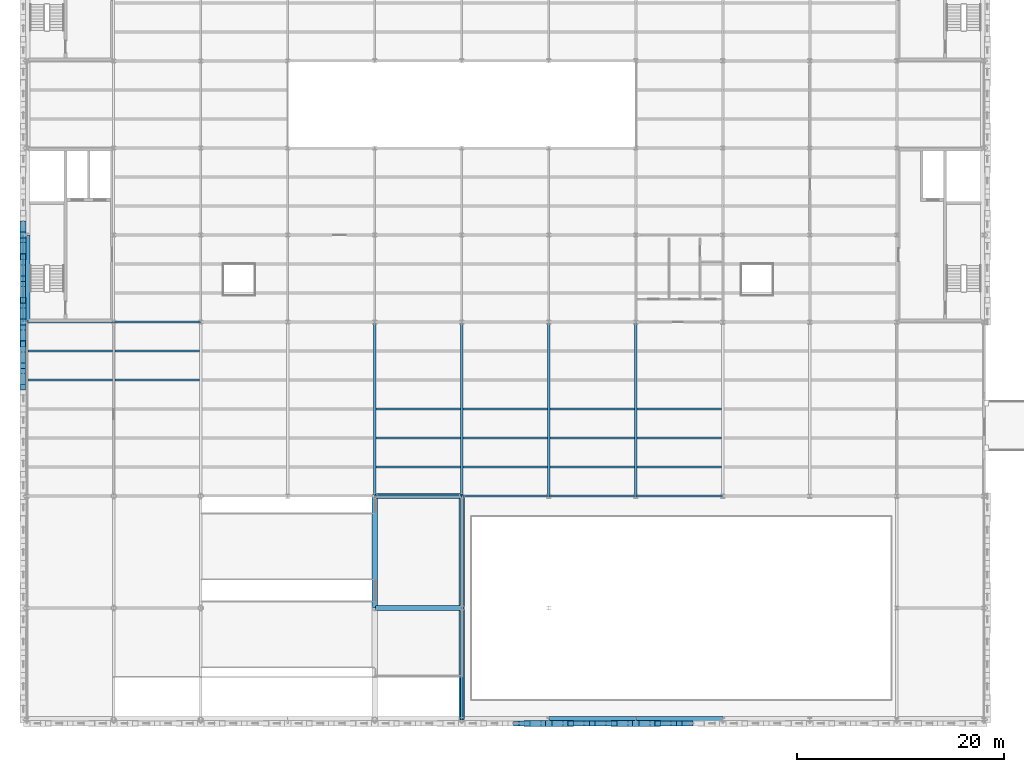
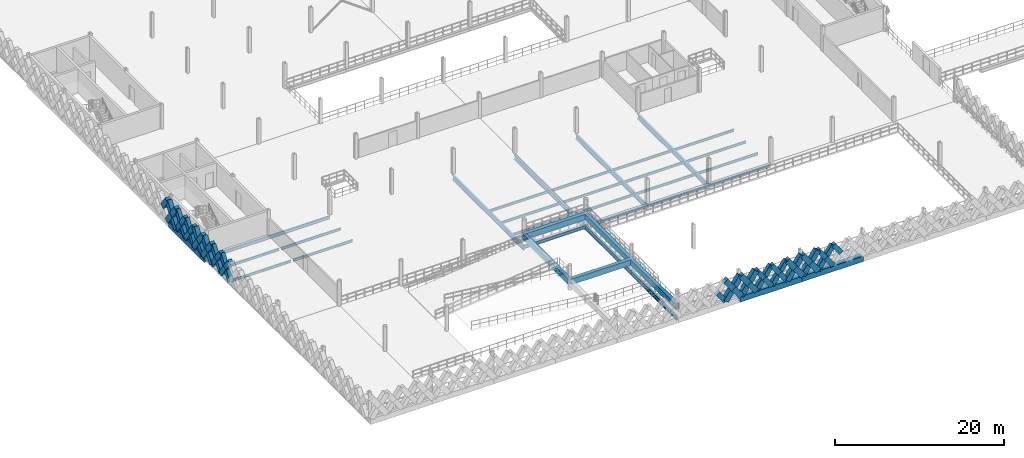
# One storey, part 25 of 101: 46 members, 36 beams.
"""IFC4 building model written with IfcOpenShell, lengths in metres."""

from ifc_helpers import new_model, si_unit, direction, frame, origin, origin_2d, place, context, subcontext, project, spatial, rectangle, hollow_rectangle, i_section, extrude, material, material_profile, profile_set, type_object, element, save


model = new_model("IFC4")

# Units and contexts
model_context = context("Model", 3, precision=1e-05, world=origin(), true_north=direction((0.0, 1.0)))
body_context = subcontext(model_context, "Body", "Model", "MODEL_VIEW")
ifc_project = project(units=[si_unit("LENGTHUNIT", "METRE"), si_unit("AREAUNIT", "SQUARE_METRE"), si_unit("VOLUMEUNIT", "CUBIC_METRE"), si_unit("PLANEANGLEUNIT", "RADIAN"), si_unit("MASSUNIT", "GRAM", prefix="KILO"), si_unit("THERMODYNAMICTEMPERATUREUNIT", "KELVIN"), si_unit("POWERUNIT", "WATT")], contexts=[model_context])

# Site, building, storey
site_placement = place(None, origin())
site = spatial("IfcSite", under=ifc_project, at=site_placement, CompositionType="ELEMENT")
building_placement = place(site_placement, origin())
building = spatial("IfcBuilding", under=site, at=building_placement, Name="Tembeka Court Mobility Hub", CompositionType="ELEMENT")
storey_placement = place(building_placement, frame((0.0, 0.0, 5.39990234375)))
storey = spatial("IfcBuildingStorey", under=building, at=storey_placement, Name="L01", CompositionType="ELEMENT", Elevation=5.39990234375)

# Beams
ifc_material_1 = material(Name="Steel S355", Category="steel")
ifc_material_profile_1 = material_profile(ifc_material_1, i_section(OverallWidth=0.18994140625, OverallDepth=0.45703125, WebThickness=0.009033203125, FlangeThickness=0.014404296875, FilletRadius=0.01025390625, at=origin_2d()), Name="UKB 457x191x74")
ifc_profile_set_1 = profile_set([ifc_material_profile_1], Name="Steel S355")
beam_type_1 = type_object("IfcBeamType", Name="BM-B01", PredefinedType="BEAM", material=ifc_profile_set_1)
for number, where, z_axis, x_axis, name in (
    (1, (33.60009765625, 21.60009765625, -0.448486328125), (1.0, 0.0, 0.0), (0.0, 1.0, 0.0), "Beam B01 (BM-L01-X0633)"),
    (2, (42.0, 21.60009765625, -0.448486328125), (1.0, 0.0, 0.0), (0.0, 1.0, 0.0), "Beam B01 (BM-L01-X0634)"),
):
    element("IfcBeam", number, at=place(storey_placement, frame(where, z_axis=z_axis, x_axis=x_axis)), inside=storey, type_object=beam_type_1, Name=name, PredefinedType="BEAM", context=body_context, shape_type="SweptSolid", body=[
        extrude(i_section(OverallWidth=0.18994140625, OverallDepth=0.45703125, WebThickness=0.009033203125, FlangeThickness=0.014404296875, FilletRadius=0.01025390625, at=origin_2d()), origin(), (0.0, 0.0, 1.0), 8.39990234375),
    ])
beam_1_placement = place(storey_placement, frame((50.39990234375, 21.60009765625, -0.448486328125), z_axis=(1.0, 0.0, 0.0), x_axis=(0.0, 1.0, 0.0)))
element("IfcBeam", 3, at=beam_1_placement, inside=storey, type_object=beam_type_1, Name="Beam B01 (BM-L01-X0635)", PredefinedType="BEAM", context=body_context, shape_type="SweptSolid", body=[
    extrude(i_section(OverallWidth=0.18994140625, OverallDepth=0.45703125, WebThickness=0.009033203125, FlangeThickness=0.014404296875, FilletRadius=0.01025390625, at=origin_2d()), origin(), (0.0, 0.0, 1.0), 8.400146484375),
])
for number, where, z_axis, x_axis, name in (
    (4, (58.800048828125, 21.60009765625, -0.448486328125), (1.0, 0.0, 0.0), (0.0, 1.0, 0.0), "Beam B01 (BM-L01-X0636)"),
    (5, (0.0, 38.39990234375, -0.448486328125), (1.0, 0.0, 0.0), (0.0, 1.0, 0.0), "Beam B01 (BM-L01-X0649)"),
):
    element("IfcBeam", number, at=place(storey_placement, frame(where, z_axis=z_axis, x_axis=x_axis)), inside=storey, type_object=beam_type_1, Name=name, PredefinedType="BEAM", context=body_context, shape_type="SweptSolid", body=[
        extrude(i_section(OverallWidth=0.18994140625, OverallDepth=0.45703125, WebThickness=0.009033203125, FlangeThickness=0.014404296875, FilletRadius=0.01025390625, at=origin_2d()), origin(), (0.0, 0.0, 1.0), 8.39990234375),
    ])
beam_2_placement = place(storey_placement, frame((8.39990234375, 38.39990234375, -0.448486328125), z_axis=(1.0, 0.0, 0.0), x_axis=(0.0, 1.0, 0.0)))
element("IfcBeam", 6, at=beam_2_placement, inside=storey, type_object=beam_type_1, Name="Beam B01 (BM-L01-X0650)", PredefinedType="BEAM", context=body_context, shape_type="SweptSolid", body=[
    extrude(i_section(OverallWidth=0.18994140625, OverallDepth=0.45703125, WebThickness=0.009033203125, FlangeThickness=0.014404296875, FilletRadius=0.01025390625, at=origin_2d()), origin(), (0.0, 0.0, 1.0), 8.400146484375),
])
ifc_material_2 = material(Name="Concrete C40/50", Category="concrete")
ifc_material_profile_2 = material_profile(ifc_material_2, rectangle(XDim=0.5, YDim=0.800048828125, at=origin_2d()), Name="RC-BM 500x800")
ifc_profile_set_2 = profile_set([ifc_material_profile_2], Name="Concrete C40/50")
beam_type_2 = type_object("IfcBeamType", Name="BM-B05", PredefinedType="BEAM", material=ifc_profile_set_2)
for number, where, z_axis, x_axis, name in (
    (7, (33.695068359375, 10.800048828125, 1.150146484375), (1.0, 0.0, 0.0), (0.0, 1.0, 0.0), "Car park vehicle ramp South R2 L01 half-landing tie beam EX2"),
    (8, (33.695068359375, 21.60009765625, 1.150146484375), (1.0, 0.0, 0.0), (0.0, 1.0, 0.0), "Car park vehicle ramp South R2 L01 half-landing tie beam EX3"),
):
    element("IfcBeam", number, at=place(storey_placement, frame(where, z_axis=z_axis, x_axis=x_axis)), inside=storey, type_object=beam_type_2, Name=name, PredefinedType="BEAM", context=body_context, shape_type="SweptSolid", body=[
        extrude(rectangle(XDim=0.5, YDim=0.800048828125, at=origin_2d()), origin(), (0.0, 0.0, 1.0), 8.2099609375),
    ])
for number, where, z_axis, x_axis, name in (
    (9, (33.60009765625, 10.800048828125, 1.150146484375), (0.0, 1.0, 0.0), (-1.0, 0.0, 0.0), "Car park vehicle ramp South R2 L01 half-landing beam EM2"),
    (10, (42.0, 0.0, 1.150146484375), (0.0, 1.0, 0.0), (-1.0, 0.0, 0.0), "Car park vehicle ramp South R2 L01 half-landing beam EE1"),
    (11, (42.0, 10.800048828125, 1.150146484375), (0.0, 1.0, 0.0), (-1.0, 0.0, 0.0), "Car park vehicle ramp South R2 L01 half-landing beam EE2"),
):
    element("IfcBeam", number, at=place(storey_placement, frame(where, z_axis=z_axis, x_axis=x_axis)), inside=storey, type_object=beam_type_2, Name=name, PredefinedType="BEAM", context=body_context, shape_type="SweptSolid", body=[
        extrude(rectangle(XDim=0.5, YDim=0.800048828125, at=origin_2d()), origin(), (0.0, 0.0, 1.0), 10.800048828125),
    ])
ifc_material_profile_3 = material_profile(ifc_material_1, i_section(OverallWidth=0.25390625, OverallDepth=0.68408203125, WebThickness=0.012451171875, FlangeThickness=0.01904296875, FilletRadius=0.01513671875, at=origin_2d()), Name="UKB 686x254x140")
ifc_profile_set_3 = profile_set([ifc_material_profile_3], Name="Steel S355")
beam_type_3 = type_object("IfcBeamType", Name="BM-G01", PredefinedType="USERDEFINED", material=ifc_profile_set_3)
for number, where, z_axis, x_axis, name in (
    (12, (33.60009765625, 21.60009765625, -0.56201171875), (0.0, 1.0, 0.0), (-1.0, 0.0, 0.0), "Beam G01 (BM-L01-Y0801)"),
    (13, (42.0, 21.60009765625, -0.56201171875), (0.0, 1.0, 0.0), (-1.0, 0.0, 0.0), "Beam G01 (BM-L01-Y0809)"),
    (14, (50.39990234375, 21.60009765625, -0.56201171875), (0.0, 1.0, 0.0), (-1.0, 0.0, 0.0), "Beam G01 (BM-L01-Y0817)"),
    (15, (58.800048828125, 21.60009765625, -0.56201171875), (0.0, 1.0, 0.0), (-1.0, 0.0, 0.0), "Beam G01 (BM-L01-Y0823)"),
):
    element("IfcBeam", number, at=place(storey_placement, frame(where, z_axis=z_axis, x_axis=x_axis)), inside=storey, type_object=beam_type_3, Name=name, ObjectType="GIRDER", PredefinedType="USERDEFINED", context=body_context, shape_type="SweptSolid", body=[
        extrude(i_section(OverallWidth=0.25390625, OverallDepth=0.68408203125, WebThickness=0.012451171875, FlangeThickness=0.01904296875, FilletRadius=0.01513671875, at=origin_2d()), origin(), (0.0, 0.0, 1.0), 16.7998046875),
    ])
ifc_material_profile_4 = material_profile(ifc_material_1, i_section(OverallWidth=0.22900390625, OverallDepth=0.612060546875, WebThickness=0.011962890625, FlangeThickness=0.01953125, FilletRadius=0.0126953125, at=origin_2d()), Name="UKB 610x229x125")
ifc_profile_set_4 = profile_set([ifc_material_profile_4], Name="Steel S355")
beam_type_4 = type_object("IfcBeamType", Name="BM-G02", PredefinedType="USERDEFINED", material=ifc_profile_set_4)
for number, where, z_axis, x_axis, name in (
    (16, (42.0, 0.0, -0.52587890625), (0.0, 1.0, 0.0), (-1.0, 0.0, 0.0), "Beam G02 (BM-L01-Y0807)"),
    (17, (42.0, 10.800048828125, -0.52587890625), (0.0, 1.0, 0.0), (-1.0, 0.0, 0.0), "Beam G02 (BM-L01-Y0808)"),
):
    element("IfcBeam", number, at=place(storey_placement, frame(where, z_axis=z_axis, x_axis=x_axis)), inside=storey, type_object=beam_type_4, Name=name, ObjectType="GIRDER", PredefinedType="USERDEFINED", context=body_context, shape_type="SweptSolid", body=[
        extrude(i_section(OverallWidth=0.22900390625, OverallDepth=0.612060546875, WebThickness=0.011962890625, FlangeThickness=0.01953125, FilletRadius=0.0126953125, at=origin_2d()), origin(), (0.0, 0.0, 1.0), 10.800048828125),
    ])
ifc_material_profile_5 = material_profile(ifc_material_1, i_section(OverallWidth=0.172119140625, OverallDepth=0.35498046875, WebThickness=0.00732421875, FlangeThickness=0.011474609375, FilletRadius=0.01025390625, at=origin_2d()), Name="UKB 356x171x51")
ifc_profile_set_5 = profile_set([ifc_material_profile_5], Name="Steel S355")
beam_type_5 = type_object("IfcBeamType", Name="BM-J01", PredefinedType="JOIST", material=ifc_profile_set_5)
for number, where, z_axis, x_axis, name in (
    (18, (0.1220703125, 32.800048828125, -0.3974609375), (1.0, 0.0, 0.0), (0.0, 1.0, 0.0), "Beam J01 (JST-L01-0914)"),
    (19, (0.1220703125, 35.60009765625, -0.3974609375), (1.0, 0.0, 0.0), (0.0, 1.0, 0.0), "Beam J01 (JST-L01-0915)"),
    (20, (8.52197265625, 32.800048828125, -0.3974609375), (1.0, 0.0, 0.0), (0.0, 1.0, 0.0), "Beam J01 (JST-L01-0926)"),
    (21, (8.52197265625, 35.60009765625, -0.3974609375), (1.0, 0.0, 0.0), (0.0, 1.0, 0.0), "Beam J01 (JST-L01-0927)"),
    (22, (33.721923828125, 24.39990234375, -0.3974609375), (1.0, 0.0, 0.0), (0.0, 1.0, 0.0), "Beam J01 (JST-L01-0981)"),
    (23, (33.721923828125, 27.199951171875, -0.3974609375), (1.0, 0.0, 0.0), (0.0, 1.0, 0.0), "Beam J01 (JST-L01-0982)"),
    (24, (33.721923828125, 30.0, -0.3974609375), (1.0, 0.0, 0.0), (0.0, 1.0, 0.0), "Beam J01 (JST-L01-0983)"),
    (25, (42.1220703125, 24.39990234375, -0.3974609375), (1.0, 0.0, 0.0), (0.0, 1.0, 0.0), "Beam J01 (JST-L01-0999)"),
    (26, (42.1220703125, 27.199951171875, -0.3974609375), (1.0, 0.0, 0.0), (0.0, 1.0, 0.0), "Beam J01 (JST-L01-1000)"),
    (27, (42.1220703125, 30.0, -0.3974609375), (1.0, 0.0, 0.0), (0.0, 1.0, 0.0), "Beam J01 (JST-L01-1001)"),
    (28, (50.52197265625, 24.39990234375, -0.3974609375), (1.0, 0.0, 0.0), (0.0, 1.0, 0.0), "Beam J01 (JST-L01-1017)"),
    (29, (50.52197265625, 27.199951171875, -0.3974609375), (1.0, 0.0, 0.0), (0.0, 1.0, 0.0), "Beam J01 (JST-L01-1018)"),
    (30, (50.52197265625, 30.0, -0.3974609375), (1.0, 0.0, 0.0), (0.0, 1.0, 0.0), "Beam J01 (JST-L01-1019)"),
):
    element("IfcBeam", number, at=place(storey_placement, frame(where, z_axis=z_axis, x_axis=x_axis)), inside=storey, type_object=beam_type_5, Name=name, PredefinedType="JOIST", context=body_context, shape_type="SweptSolid", body=[
        extrude(i_section(OverallWidth=0.172119140625, OverallDepth=0.35498046875, WebThickness=0.00732421875, FlangeThickness=0.011474609375, FilletRadius=0.01025390625, at=origin_2d()), origin(), (0.0, 0.0, 1.0), 8.156005859375),
    ])
for number, where, z_axis, x_axis, name in (
    (31, (58.922119140625, 24.39990234375, -0.3974609375), (1.0, 0.0, 0.0), (0.0, 1.0, 0.0), "Beam J01 (JST-L01-1035)"),
    (32, (58.922119140625, 27.199951171875, -0.3974609375), (1.0, 0.0, 0.0), (0.0, 1.0, 0.0), "Beam J01 (JST-L01-1036)"),
    (33, (58.922119140625, 30.0, -0.3974609375), (1.0, 0.0, 0.0), (0.0, 1.0, 0.0), "Beam J01 (JST-L01-1037)"),
):
    element("IfcBeam", number, at=place(storey_placement, frame(where, z_axis=z_axis, x_axis=x_axis)), inside=storey, type_object=beam_type_5, Name=name, PredefinedType="JOIST", context=body_context, shape_type="SweptSolid", body=[
        extrude(i_section(OverallWidth=0.172119140625, OverallDepth=0.35498046875, WebThickness=0.00732421875, FlangeThickness=0.011474609375, FilletRadius=0.01025390625, at=origin_2d()), origin(), (0.0, 0.0, 1.0), 8.15576171875),
    ])
ifc_material_3 = material(Name="Precast concrete C45/55", Category="concrete")
ifc_material_profile_6 = material_profile(ifc_material_3, rectangle(XDim=0.64990234375, YDim=0.800048828125, at=origin_2d()), Name="PC-SP 650x800")
ifc_profile_set_6 = profile_set([ifc_material_profile_6], Name="Precast concrete C45/55")
beam_type_6 = type_object("IfcBeamType", Name="BM-SP01", PredefinedType="SPANDREL", material=ifc_profile_set_6)
beam_3_placement = place(storey_placement, frame((50.39990234375, 0.0, -0.619873046875), z_axis=(1.0, 0.0, 0.0), x_axis=(0.0, 1.0, 0.0)))
element("IfcBeam", 34, at=beam_3_placement, inside=storey, type_object=beam_type_6, Name="Beam SP01 (BM-L01-X0611)", PredefinedType="SPANDREL", context=body_context, shape_type="SweptSolid", body=[
    extrude(rectangle(XDim=0.64990234375, YDim=0.800048828125, at=origin_2d()), origin(), (0.0, 0.0, 1.0), 8.400146484375),
])
beam_4_placement = place(storey_placement, frame((58.800048828125, 0.0, -0.619873046875), z_axis=(1.0, 0.0, 0.0), x_axis=(0.0, 1.0, 0.0)))
element("IfcBeam", 35, at=beam_4_placement, inside=storey, type_object=beam_type_6, Name="Beam SP01 (BM-L01-X0612)", PredefinedType="SPANDREL", context=body_context, shape_type="SweptSolid", body=[
    extrude(rectangle(XDim=0.64990234375, YDim=0.800048828125, at=origin_2d()), origin(), (0.0, 0.0, 1.0), 8.39990234375),
])
beam_5_placement = place(storey_placement, frame((0.0, 38.39990234375, -0.619873046875), z_axis=(0.0, 1.0, 0.0), x_axis=(-1.0, 0.0, 0.0)))
element("IfcBeam", 36, at=beam_5_placement, inside=storey, type_object=beam_type_6, Name="Beam SP01 (BM-L01-Y0764)", PredefinedType="SPANDREL", context=body_context, shape_type="SweptSolid", body=[
    extrude(rectangle(XDim=0.64990234375, YDim=0.800048828125, at=origin_2d()), origin(), (0.0, 0.0, 1.0), 8.400146484375),
])

# Members
ifc_material_profile_7 = material_profile(ifc_material_3, rectangle(XDim=0.5, YDim=0.64990234375, at=origin_2d()), Name="PC-DIAG 500x650")
ifc_profile_set_7 = profile_set([ifc_material_profile_7], Name="Precast concrete C45/55")
member_type_1 = type_object("IfcMemberType", Name="MEM-DL01", PredefinedType="BRACE", material=ifc_profile_set_7)
member_1_placement = place(storey_placement, frame((48.300048828125, -0.340087890625, 0.02001953125), z_axis=(-0.582544294934, 0.0, 0.812798956963), x_axis=(0.0, -1.0, 0.0)))
element("IfcMember", 37, at=member_1_placement, inside=storey, type_object=member_type_1, Name="Precast diamond lattice split lower strand DL01 (L01-23B1)", PredefinedType="BRACE", context=body_context, shape_type="SweptSolid", body=[
    extrude(rectangle(XDim=0.5, YDim=0.64990234375, at=origin_2d()), origin(), (0.0, 0.0, 1.0), 1.802490234375),
])
member_2_placement = place(storey_placement, frame((52.5, -0.340087890625, 0.02001953125), z_axis=(0.582544294934, 0.0, 0.812798956963), x_axis=(0.0, 1.0, 0.0)))
element("IfcMember", 38, at=member_2_placement, inside=storey, type_object=member_type_1, Name="Precast diamond lattice continuous strand DL01 (L01-26A)", PredefinedType="BRACE", context=body_context, shape_type="SweptSolid", body=[
    extrude(rectangle(XDim=0.5, YDim=0.64990234375, at=origin_2d()), origin(), (0.0, 0.0, 1.0), 3.60498046875),
])
for number, where, z_axis, x_axis, name in (
    (39, (54.60009765625, -0.340087890625, 0.02001953125), (-0.582544294934, 0.0, 0.812798956963), (0.0, -1.0, 0.0), "Precast diamond lattice split lower strand DL01 (L01-26B1)"),
    (40, (53.550048828125, -0.340087890625, 1.485107421875), (-0.582544294934, 0.0, 0.812798956963), (0.0, -1.0, 0.0), "Precast diamond lattice split upper strand DL01 (L01-26B2)"),
):
    element("IfcMember", number, at=place(storey_placement, frame(where, z_axis=z_axis, x_axis=x_axis)), inside=storey, type_object=member_type_1, Name=name, PredefinedType="BRACE", context=body_context, shape_type="SweptSolid", body=[
        extrude(rectangle(XDim=0.5, YDim=0.64990234375, at=origin_2d()), origin(), (0.0, 0.0, 1.0), 1.802490234375),
    ])
member_3_placement = place(storey_placement, frame((54.60009765625, -0.340087890625, 0.02001953125), z_axis=(0.582499552306, 0.0, 0.812831022762), x_axis=(0.0, 1.0, 0.0)))
element("IfcMember", 41, at=member_3_placement, inside=storey, type_object=member_type_1, Name="Precast diamond lattice continuous strand DL01 (L01-27A)", PredefinedType="BRACE", context=body_context, shape_type="SweptSolid", body=[
    extrude(rectangle(XDim=0.5, YDim=0.64990234375, at=origin_2d()), origin(), (0.0, 0.0, 1.0), 3.60498046875),
])
for number, where, z_axis, x_axis, name in (
    (42, (56.699951171875, -0.340087890625, 0.02001953125), (-0.582544294934, 0.0, 0.812798956963), (0.0, -1.0, 0.0), "Precast diamond lattice split lower strand DL01 (L01-27B1)"),
    (43, (55.64990234375, -0.340087890625, 1.485107421875), (-0.582454804382, 0.0, 0.812863088627), (0.0, -1.0, 0.0), "Precast diamond lattice split upper strand DL01 (L01-27B2)"),
):
    element("IfcMember", number, at=place(storey_placement, frame(where, z_axis=z_axis, x_axis=x_axis)), inside=storey, type_object=member_type_1, Name=name, PredefinedType="BRACE", context=body_context, shape_type="SweptSolid", body=[
        extrude(rectangle(XDim=0.5, YDim=0.64990234375, at=origin_2d()), origin(), (0.0, 0.0, 1.0), 1.802490234375),
    ])
member_4_placement = place(storey_placement, frame((60.89990234375, -0.340087890625, 0.02001953125), z_axis=(0.582544294934, 0.0, 0.812798956963), x_axis=(0.0, 1.0, 0.0)))
element("IfcMember", 44, at=member_4_placement, inside=storey, type_object=member_type_1, Name="Precast diamond lattice continuous strand DL01 (L01-30A)", PredefinedType="BRACE", context=body_context, shape_type="SweptSolid", body=[
    extrude(rectangle(XDim=0.5, YDim=0.64990234375, at=origin_2d()), origin(), (0.0, 0.0, 1.0), 3.60498046875),
])
for number, where, z_axis, x_axis, name in (
    (45, (63.0, -0.340087890625, 0.02001953125), (-0.582544294934, 0.0, 0.812798956963), (0.0, -1.0, 0.0), "Precast diamond lattice split lower strand DL01 (L01-30B1)"),
    (46, (61.949951171875, -0.340087890625, 1.485107421875), (-0.582544294934, 0.0, 0.812798956963), (0.0, -1.0, 0.0), "Precast diamond lattice split upper strand DL01 (L01-30B2)"),
    (47, (64.050048828125, -0.340087890625, 1.485107421875), (-0.582544294934, 0.0, 0.812798956963), (0.0, -1.0, 0.0), "Precast diamond lattice split upper strand DL01 (L01-31B2)"),
):
    element("IfcMember", number, at=place(storey_placement, frame(where, z_axis=z_axis, x_axis=x_axis)), inside=storey, type_object=member_type_1, Name=name, PredefinedType="BRACE", context=body_context, shape_type="SweptSolid", body=[
        extrude(rectangle(XDim=0.5, YDim=0.64990234375, at=origin_2d()), origin(), (0.0, 0.0, 1.0), 1.802490234375),
    ])
member_5_placement = place(storey_placement, frame((-0.340087890625, 32.10009765625, 0.02001953125), z_axis=(0.0, 0.582499552306, 0.812831022762), x_axis=(-1.0, 0.0, 0.0)))
element("IfcMember", 48, at=member_5_placement, inside=storey, type_object=member_type_1, Name="Precast diamond lattice continuous strand DL01 (L01-104C)", PredefinedType="BRACE", context=body_context, shape_type="SweptSolid", body=[
    extrude(rectangle(XDim=0.5, YDim=0.64990234375, at=origin_2d()), origin(), (0.0, 0.0, 1.0), 3.60498046875),
])
for number, where, z_axis, x_axis, name in (
    (49, (-0.340087890625, 34.199951171875, 0.02001953125), (0.0, -0.582544294934, 0.812798956963), (1.0, 0.0, 0.0), "Precast diamond lattice split lower strand DL01 (L01-104D1)"),
    (50, (-0.340087890625, 33.14990234375, 1.485107421875), (0.0, -0.582454804382, 0.812863088627), (1.0, 0.0, 0.0), "Precast diamond lattice split upper strand DL01 (L01-104D2)"),
):
    element("IfcMember", number, at=place(storey_placement, frame(where, z_axis=z_axis, x_axis=x_axis)), inside=storey, type_object=member_type_1, Name=name, PredefinedType="BRACE", context=body_context, shape_type="SweptSolid", body=[
        extrude(rectangle(XDim=0.5, YDim=0.64990234375, at=origin_2d()), origin(), (0.0, 0.0, 1.0), 1.802490234375),
    ])
member_6_placement = place(storey_placement, frame((-0.340087890625, 34.199951171875, 0.02001953125), z_axis=(0.0, 0.582544294934, 0.812798956963), x_axis=(-1.0, 0.0, 0.0)))
element("IfcMember", 51, at=member_6_placement, inside=storey, type_object=member_type_1, Name="Precast diamond lattice continuous strand DL01 (L01-105C)", PredefinedType="BRACE", context=body_context, shape_type="SweptSolid", body=[
    extrude(rectangle(XDim=0.5, YDim=0.64990234375, at=origin_2d()), origin(), (0.0, 0.0, 1.0), 3.60498046875),
])
for number, where, z_axis, x_axis, name in (
    (52, (-0.340087890625, 36.300048828125, 0.02001953125), (0.0, -0.582544294934, 0.812798956963), (1.0, 0.0, 0.0), "Precast diamond lattice split lower strand DL01 (L01-105D1)"),
    (53, (-0.340087890625, 35.25, 1.485107421875), (0.0, -0.582544294934, 0.812798956963), (1.0, 0.0, 0.0), "Precast diamond lattice split upper strand DL01 (L01-105D2)"),
):
    element("IfcMember", number, at=place(storey_placement, frame(where, z_axis=z_axis, x_axis=x_axis)), inside=storey, type_object=member_type_1, Name=name, PredefinedType="BRACE", context=body_context, shape_type="SweptSolid", body=[
        extrude(rectangle(XDim=0.5, YDim=0.64990234375, at=origin_2d()), origin(), (0.0, 0.0, 1.0), 1.802490234375),
    ])
member_7_placement = place(storey_placement, frame((-0.340087890625, 40.5, 0.02001953125), z_axis=(0.0, 0.582544294934, 0.812798956963), x_axis=(-1.0, 0.0, 0.0)))
element("IfcMember", 54, at=member_7_placement, inside=storey, type_object=member_type_1, Name="Precast diamond lattice continuous strand DL01 (L01-108C)", PredefinedType="BRACE", context=body_context, shape_type="SweptSolid", body=[
    extrude(rectangle(XDim=0.5, YDim=0.64990234375, at=origin_2d()), origin(), (0.0, 0.0, 1.0), 3.60498046875),
])
for number, where, z_axis, x_axis, name in (
    (55, (-0.340087890625, 42.60009765625, 0.02001953125), (0.0, -0.582544294934, 0.812798956963), (1.0, 0.0, 0.0), "Precast diamond lattice split lower strand DL01 (L01-108D1)"),
    (56, (-0.340087890625, 41.550048828125, 1.485107421875), (0.0, -0.582544294934, 0.812798956963), (1.0, 0.0, 0.0), "Precast diamond lattice split upper strand DL01 (L01-108D2)"),
):
    element("IfcMember", number, at=place(storey_placement, frame(where, z_axis=z_axis, x_axis=x_axis)), inside=storey, type_object=member_type_1, Name=name, PredefinedType="BRACE", context=body_context, shape_type="SweptSolid", body=[
        extrude(rectangle(XDim=0.5, YDim=0.64990234375, at=origin_2d()), origin(), (0.0, 0.0, 1.0), 1.802490234375),
    ])
member_8_placement = place(storey_placement, frame((-0.340087890625, 42.60009765625, 0.02001953125), z_axis=(0.0, 0.582499552306, 0.812831022762), x_axis=(-1.0, 0.0, 0.0)))
element("IfcMember", 57, at=member_8_placement, inside=storey, type_object=member_type_1, Name="Precast diamond lattice continuous strand DL01 (L01-109C)", PredefinedType="BRACE", context=body_context, shape_type="SweptSolid", body=[
    extrude(rectangle(XDim=0.5, YDim=0.64990234375, at=origin_2d()), origin(), (0.0, 0.0, 1.0), 3.60498046875),
])
for number, where, z_axis, x_axis, name in (
    (58, (-0.340087890625, 44.699951171875, 0.02001953125), (0.0, -0.582544294934, 0.812798956963), (1.0, 0.0, 0.0), "Precast diamond lattice split lower strand DL01 (L01-109D1)"),
    (59, (-0.340087890625, 43.64990234375, 1.485107421875), (0.0, -0.582454804382, 0.812863088627), (1.0, 0.0, 0.0), "Precast diamond lattice split upper strand DL01 (L01-109D2)"),
):
    element("IfcMember", number, at=place(storey_placement, frame(where, z_axis=z_axis, x_axis=x_axis)), inside=storey, type_object=member_type_1, Name=name, PredefinedType="BRACE", context=body_context, shape_type="SweptSolid", body=[
        extrude(rectangle(XDim=0.5, YDim=0.64990234375, at=origin_2d()), origin(), (0.0, 0.0, 1.0), 1.802490234375),
    ])
ifc_material_profile_8 = material_profile(ifc_material_3, rectangle(XDim=0.60009765625, YDim=0.75, at=origin_2d()), Name="PC-DIAG 600x750")
ifc_profile_set_8 = profile_set([ifc_material_profile_8], Name="Precast concrete C45/55")
member_type_2 = type_object("IfcMemberType", Name="MEM-DL02", PredefinedType="BRACE", material=ifc_profile_set_8)
member_9_placement = place(storey_placement, frame((48.300048828125, -0.340087890625, 0.02001953125), z_axis=(0.582499552306, 0.0, 0.812831022762), x_axis=(0.0, 1.0, 0.0)))
element("IfcMember", 60, at=member_9_placement, inside=storey, type_object=member_type_2, Name="Precast diamond lattice continuous strand DL02 (L01-24A)", PredefinedType="BRACE", context=body_context, shape_type="SweptSolid", body=[
    extrude(rectangle(XDim=0.60009765625, YDim=0.75, at=origin_2d()), origin(), (0.0, 0.0, 1.0), 3.60498046875),
])
for number, where, z_axis, x_axis, name in (
    (61, (50.39990234375, -0.340087890625, 0.02001953125), (-0.582454804382, 0.0, 0.812863088627), (0.0, -1.0, 0.0), "Precast diamond lattice split lower strand DL02 (L01-24B1)"),
    (62, (49.35009765625, -0.340087890625, 1.485107421875), (-0.582544294934, 0.0, 0.812798956963), (0.0, -1.0, 0.0), "Precast diamond lattice split upper strand DL02 (L01-24B2)"),
):
    element("IfcMember", number, at=place(storey_placement, frame(where, z_axis=z_axis, x_axis=x_axis)), inside=storey, type_object=member_type_2, Name=name, PredefinedType="BRACE", context=body_context, shape_type="SweptSolid", body=[
        extrude(rectangle(XDim=0.60009765625, YDim=0.75, at=origin_2d()), origin(), (0.0, 0.0, 1.0), 1.802490234375),
    ])
member_10_placement = place(storey_placement, frame((50.39990234375, -0.340087890625, 0.02001953125), z_axis=(0.582544294934, 0.0, 0.812798956963), x_axis=(0.0, 1.0, 0.0)))
element("IfcMember", 63, at=member_10_placement, inside=storey, type_object=member_type_2, Name="Precast diamond lattice continuous strand DL02 (L01-25A)", PredefinedType="BRACE", context=body_context, shape_type="SweptSolid", body=[
    extrude(rectangle(XDim=0.60009765625, YDim=0.75, at=origin_2d()), origin(), (0.0, 0.0, 1.0), 3.60498046875),
])
for number, where, z_axis, x_axis, name in (
    (64, (52.5, -0.340087890625, 0.02001953125), (-0.582544294934, 0.0, 0.812798956963), (0.0, -1.0, 0.0), "Precast diamond lattice split lower strand DL02 (L01-25B1)"),
    (65, (51.449951171875, -0.340087890625, 1.485107421875), (-0.582544294934, 0.0, 0.812798956963), (0.0, -1.0, 0.0), "Precast diamond lattice split upper strand DL02 (L01-25B2)"),
):
    element("IfcMember", number, at=place(storey_placement, frame(where, z_axis=z_axis, x_axis=x_axis)), inside=storey, type_object=member_type_2, Name=name, PredefinedType="BRACE", context=body_context, shape_type="SweptSolid", body=[
        extrude(rectangle(XDim=0.60009765625, YDim=0.75, at=origin_2d()), origin(), (0.0, 0.0, 1.0), 1.802490234375),
    ])
member_11_placement = place(storey_placement, frame((56.699951171875, -0.340087890625, 0.02001953125), z_axis=(0.582544294934, 0.0, 0.812798956963), x_axis=(0.0, 1.0, 0.0)))
element("IfcMember", 66, at=member_11_placement, inside=storey, type_object=member_type_2, Name="Precast diamond lattice continuous strand DL02 (L01-28A)", PredefinedType="BRACE", context=body_context, shape_type="SweptSolid", body=[
    extrude(rectangle(XDim=0.60009765625, YDim=0.75, at=origin_2d()), origin(), (0.0, 0.0, 1.0), 3.60498046875),
])
for number, where, z_axis, x_axis, name in (
    (67, (58.800048828125, -0.340087890625, 0.02001953125), (-0.582544294934, 0.0, 0.812798956963), (0.0, -1.0, 0.0), "Precast diamond lattice split lower strand DL02 (L01-28B1)"),
    (68, (57.75, -0.340087890625, 1.485107421875), (-0.582544294934, 0.0, 0.812798956963), (0.0, -1.0, 0.0), "Precast diamond lattice split upper strand DL02 (L01-28B2)"),
):
    element("IfcMember", number, at=place(storey_placement, frame(where, z_axis=z_axis, x_axis=x_axis)), inside=storey, type_object=member_type_2, Name=name, PredefinedType="BRACE", context=body_context, shape_type="SweptSolid", body=[
        extrude(rectangle(XDim=0.60009765625, YDim=0.75, at=origin_2d()), origin(), (0.0, 0.0, 1.0), 1.802490234375),
    ])
member_12_placement = place(storey_placement, frame((58.800048828125, -0.340087890625, 0.02001953125), z_axis=(0.582499552306, 0.0, 0.812831022762), x_axis=(0.0, 1.0, 0.0)))
element("IfcMember", 69, at=member_12_placement, inside=storey, type_object=member_type_2, Name="Precast diamond lattice continuous strand DL02 (L01-29A)", PredefinedType="BRACE", context=body_context, shape_type="SweptSolid", body=[
    extrude(rectangle(XDim=0.60009765625, YDim=0.75, at=origin_2d()), origin(), (0.0, 0.0, 1.0), 3.60498046875),
])
for number, where, z_axis, x_axis, name in (
    (70, (60.89990234375, -0.340087890625, 0.02001953125), (-0.582454804382, 0.0, 0.812863088627), (0.0, -1.0, 0.0), "Precast diamond lattice split lower strand DL02 (L01-29B1)"),
    (71, (59.85009765625, -0.340087890625, 1.485107421875), (-0.582544294934, 0.0, 0.812798956963), (0.0, -1.0, 0.0), "Precast diamond lattice split upper strand DL02 (L01-29B2)"),
):
    element("IfcMember", number, at=place(storey_placement, frame(where, z_axis=z_axis, x_axis=x_axis)), inside=storey, type_object=member_type_2, Name=name, PredefinedType="BRACE", context=body_context, shape_type="SweptSolid", body=[
        extrude(rectangle(XDim=0.60009765625, YDim=0.75, at=origin_2d()), origin(), (0.0, 0.0, 1.0), 1.802490234375),
    ])
member_13_placement = place(storey_placement, frame((-0.340087890625, 36.300048828125, 0.02001953125), z_axis=(0.0, 0.582499552306, 0.812831022762), x_axis=(-1.0, 0.0, 0.0)))
element("IfcMember", 72, at=member_13_placement, inside=storey, type_object=member_type_2, Name="Precast diamond lattice continuous strand DL02 (L01-106C)", PredefinedType="BRACE", context=body_context, shape_type="SweptSolid", body=[
    extrude(rectangle(XDim=0.60009765625, YDim=0.75, at=origin_2d()), origin(), (0.0, 0.0, 1.0), 3.60498046875),
])
for number, where, z_axis, x_axis, name in (
    (73, (-0.340087890625, 38.39990234375, 0.02001953125), (0.0, -0.582454804382, 0.812863088627), (1.0, 0.0, 0.0), "Precast diamond lattice split lower strand DL02 (L01-106D1)"),
    (74, (-0.340087890625, 37.35009765625, 1.485107421875), (0.0, -0.582544294934, 0.812798956963), (1.0, 0.0, 0.0), "Precast diamond lattice split upper strand DL02 (L01-106D2)"),
):
    element("IfcMember", number, at=place(storey_placement, frame(where, z_axis=z_axis, x_axis=x_axis)), inside=storey, type_object=member_type_2, Name=name, PredefinedType="BRACE", context=body_context, shape_type="SweptSolid", body=[
        extrude(rectangle(XDim=0.60009765625, YDim=0.75, at=origin_2d()), origin(), (0.0, 0.0, 1.0), 1.802490234375),
    ])
member_14_placement = place(storey_placement, frame((-0.340087890625, 38.39990234375, 0.02001953125), z_axis=(0.0, 0.582544294934, 0.812798956963), x_axis=(-1.0, 0.0, 0.0)))
element("IfcMember", 75, at=member_14_placement, inside=storey, type_object=member_type_2, Name="Precast diamond lattice continuous strand DL02 (L01-107C)", PredefinedType="BRACE", context=body_context, shape_type="SweptSolid", body=[
    extrude(rectangle(XDim=0.60009765625, YDim=0.75, at=origin_2d()), origin(), (0.0, 0.0, 1.0), 3.60498046875),
])
for number, where, z_axis, x_axis, name in (
    (76, (-0.340087890625, 40.5, 0.02001953125), (0.0, -0.582544294934, 0.812798956963), (1.0, 0.0, 0.0), "Precast diamond lattice split lower strand DL02 (L01-107D1)"),
    (77, (-0.340087890625, 39.449951171875, 1.485107421875), (0.0, -0.582544294934, 0.812798956963), (1.0, 0.0, 0.0), "Precast diamond lattice split upper strand DL02 (L01-107D2)"),
):
    element("IfcMember", number, at=place(storey_placement, frame(where, z_axis=z_axis, x_axis=x_axis)), inside=storey, type_object=member_type_2, Name=name, PredefinedType="BRACE", context=body_context, shape_type="SweptSolid", body=[
        extrude(rectangle(XDim=0.60009765625, YDim=0.75, at=origin_2d()), origin(), (0.0, 0.0, 1.0), 1.802490234375),
    ])
member_15_placement = place(storey_placement, frame((-0.340087890625, 44.699951171875, 0.02001953125), z_axis=(0.0, 0.582544294934, 0.812798956963), x_axis=(-1.0, 0.0, 0.0)))
element("IfcMember", 78, at=member_15_placement, inside=storey, type_object=member_type_2, Name="Precast diamond lattice continuous strand DL02 (L01-110C)", PredefinedType="BRACE", context=body_context, shape_type="SweptSolid", body=[
    extrude(rectangle(XDim=0.60009765625, YDim=0.75, at=origin_2d()), origin(), (0.0, 0.0, 1.0), 3.60498046875),
])
for number, where, z_axis, x_axis, name in (
    (79, (-0.340087890625, 46.800048828125, 0.02001953125), (0.0, -0.582544294934, 0.812798956963), (1.0, 0.0, 0.0), "Precast diamond lattice split lower strand DL02 (L01-110D1)"),
    (80, (-0.340087890625, 45.75, 1.485107421875), (0.0, -0.582544294934, 0.812798956963), (1.0, 0.0, 0.0), "Precast diamond lattice split upper strand DL02 (L01-110D2)"),
    (81, (-0.340087890625, 47.85009765625, 1.485107421875), (0.0, -0.582544294934, 0.812798956963), (1.0, 0.0, 0.0), "Precast diamond lattice split upper strand DL02 (L01-111D2)"),
):
    element("IfcMember", number, at=place(storey_placement, frame(where, z_axis=z_axis, x_axis=x_axis)), inside=storey, type_object=member_type_2, Name=name, PredefinedType="BRACE", context=body_context, shape_type="SweptSolid", body=[
        extrude(rectangle(XDim=0.60009765625, YDim=0.75, at=origin_2d()), origin(), (0.0, 0.0, 1.0), 1.802490234375),
    ])
ifc_material_profile_9 = material_profile(ifc_material_1, hollow_rectangle(XDim=0.14990234375, YDim=0.300048828125, WallThickness=0.010009765625, at=origin_2d()), Name="RHS 300x150x10")
ifc_profile_set_9 = profile_set([ifc_material_profile_9], Name="Steel S355")
member_type_3 = type_object("IfcMemberType", Name="MEM-ST03", PredefinedType="STRUT", material=ifc_profile_set_9)
member_16_placement = place(storey_placement, frame((-0.340087890625, 38.39990234375, 0.02001953125), z_axis=(0.0, 1.0, 0.0), x_axis=(-1.0, 0.0, 0.0)))
element("IfcMember", 82, at=member_16_placement, inside=storey, type_object=member_type_3, Name="Proud lattice sill tie chord SR03 (L01-W-38)", PredefinedType="STRUT", context=body_context, shape_type="SweptSolid", body=[
    extrude(hollow_rectangle(XDim=0.14990234375, YDim=0.300048828125, WallThickness=0.010009765625, at=origin_2d()), origin(), (0.0, 0.0, 1.0), 8.400146484375),
])

save(model, "model.ifc")
